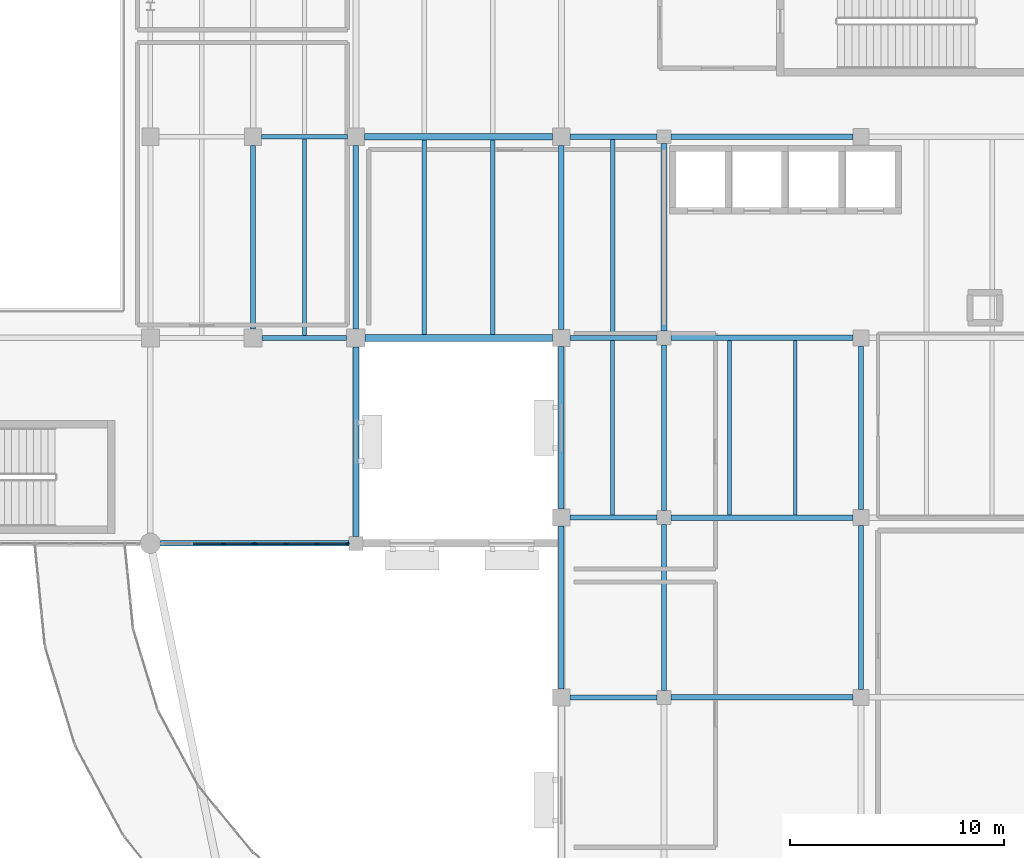
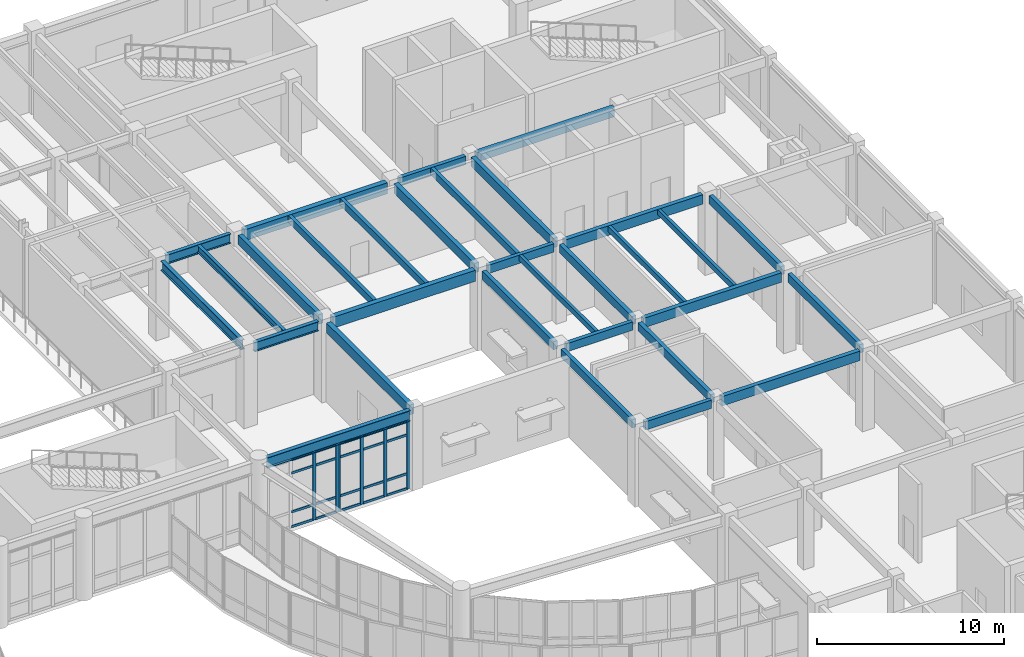
# One storey, part 34 of 72: 31 beams, 26 members, 2 elements without a shape of their own.
"""IFC4 building model written with IfcOpenShell, lengths in metres."""

from ifc_helpers import new_model, si_unit, direction, frame, origin, origin_2d, place, context, subcontext, project, spatial, rectangle, i_section, extrude, material, material_profile, profile_set, type_object, element, aggregate, save


model = new_model("IFC4")

# Units and contexts
model_context = context("Model", 3, precision=1e-05, world=origin(), true_north=direction((0.0, 1.0)))
body_context = subcontext(model_context, "Body", "Model", "MODEL_VIEW")
ifc_project = project(units=[si_unit("LENGTHUNIT", "METRE"), si_unit("AREAUNIT", "SQUARE_METRE"), si_unit("VOLUMEUNIT", "CUBIC_METRE"), si_unit("PLANEANGLEUNIT", "RADIAN"), si_unit("MASSUNIT", "GRAM", prefix="KILO")], contexts=[model_context])

# Site, building, storey
site_placement = place(None, origin())
site = spatial("IfcSite", under=ifc_project, at=site_placement, CompositionType="ELEMENT")
building_placement = place(site_placement, origin())
building = spatial("IfcBuilding", under=site, at=building_placement, Name="Veldera Park Congress Hotel", CompositionType="ELEMENT")
storey_placement = place(building_placement, frame((0.0, 0.0, 5.39990234375)))
storey = spatial("IfcBuildingStorey", under=building, at=storey_placement, Name="L01", CompositionType="ELEMENT", Elevation=5.39990234375)

# Beams
ifc_material_1 = material(Name="Glulam GL28h (NDS 24F-V4)", Category="wood")
ifc_material_profile_1 = material_profile(ifc_material_1, rectangle(XDim=0.239990234375, YDim=0.5400390625, at=origin_2d()), Name="GL28h 240x540")
ifc_profile_set_1 = profile_set([ifc_material_profile_1], Name="Glulam GL28h (NDS 24F-V4)")
beam_type_1 = type_object("IfcBeamType", Name="BM-GL540", PredefinedType="BEAM", material=ifc_profile_set_1)
for number, where, z_axis, x_axis, name in (
    (1, (61.199951171875, 10.199951171875, 4.860107421875), (1.0, 0.0, 0.0), (0.0, 1.0, 0.0), "L01 Girder BM-GL540 593"),
    (2, (61.199951171875, 18.60009765625, 4.860107421875), (1.0, 0.0, 0.0), (0.0, 1.0, 0.0), "L01 Girder BM-GL540 606"),
    (3, (61.199951171875, 27.0, 4.860107421875), (1.0, 0.0, 0.0), (0.0, 1.0, 0.0), "L01 Girder BM-GL540 624"),
    (4, (61.199951171875, 36.39990234375, 4.860107421875), (1.0, 0.0, 0.0), (0.0, 1.0, 0.0), "L01 Girder BM-GL540 634"),
):
    element("IfcBeam", number, at=place(storey_placement, frame(where, z_axis=z_axis, x_axis=x_axis)), inside=storey, type_object=beam_type_1, Name=name, PredefinedType="BEAM", context=body_context, shape_type="SweptSolid", body=[
        extrude(rectangle(XDim=0.239990234375, YDim=0.5400390625, at=origin_2d()), origin(), (0.0, 0.0, 1.0), 4.074951171875),
    ])
beam_1_placement = place(storey_placement, frame((60.800048828125, 10.60009765625, 4.860107421875), z_axis=(0.0, 1.0, 0.0), x_axis=(-1.0, 0.0, 0.0)))
element("IfcBeam", 5, at=beam_1_placement, inside=storey, type_object=beam_type_1, Name="L01 Girder BM-GL540 730", PredefinedType="BEAM", context=body_context, shape_type="SweptSolid", body=[
    extrude(rectangle(XDim=0.239990234375, YDim=0.5400390625, at=origin_2d()), origin(), (0.0, 0.0, 1.0), 7.599853515625),
])
beam_2_placement = place(storey_placement, frame((60.800048828125, 19.0, 4.860107421875), z_axis=(0.0, 1.0, 0.0), x_axis=(-1.0, 0.0, 0.0)))
element("IfcBeam", 6, at=beam_2_placement, inside=storey, type_object=beam_type_1, Name="L01 Girder BM-GL540 731", PredefinedType="BEAM", context=body_context, shape_type="SweptSolid", body=[
    extrude(rectangle(XDim=0.239990234375, YDim=0.5400390625, at=origin_2d()), origin(), (0.0, 0.0, 1.0), 7.60009765625),
])
for number, where, z_axis, x_axis, name in (
    (7, (65.60009765625, 10.52490234375, 4.860107421875), (0.0, 1.0, 0.0), (-1.0, 0.0, 0.0), "L01 Girder BM-GL540 737"),
    (8, (65.60009765625, 18.925048828125, 4.860107421875), (0.0, 1.0, 0.0), (-1.0, 0.0, 0.0), "L01 Girder BM-GL540 738"),
):
    element("IfcBeam", number, at=place(storey_placement, frame(where, z_axis=z_axis, x_axis=x_axis)), inside=storey, type_object=beam_type_1, Name=name, PredefinedType="BEAM", context=body_context, shape_type="SweptSolid", body=[
        extrude(rectangle(XDim=0.239990234375, YDim=0.5400390625, at=origin_2d()), origin(), (0.0, 0.0, 1.0), 7.75),
    ])
beam_3_placement = place(storey_placement, frame((74.800048828125, 10.574951171875, 4.860107421875), z_axis=(0.0, 1.0, 0.0), x_axis=(-1.0, 0.0, 0.0)))
element("IfcBeam", 9, at=beam_3_placement, inside=storey, type_object=beam_type_1, Name="L01 Girder BM-GL540 746", PredefinedType="BEAM", context=body_context, shape_type="SweptSolid", body=[
    extrude(rectangle(XDim=0.239990234375, YDim=0.5400390625, at=origin_2d()), origin(), (0.0, 0.0, 1.0), 7.650146484375),
])
beam_4_placement = place(storey_placement, frame((74.800048828125, 18.97509765625, 4.860107421875), z_axis=(0.0, 1.0, 0.0), x_axis=(-1.0, 0.0, 0.0)))
element("IfcBeam", 10, at=beam_4_placement, inside=storey, type_object=beam_type_1, Name="L01 Girder BM-GL540 747", PredefinedType="BEAM", context=body_context, shape_type="SweptSolid", body=[
    extrude(rectangle(XDim=0.239990234375, YDim=0.5400390625, at=origin_2d()), origin(), (0.0, 0.0, 1.0), 7.64990234375),
])
ifc_material_profile_2 = material_profile(ifc_material_1, rectangle(XDim=0.264892578125, YDim=0.6201171875, at=origin_2d()), Name="GL28h 265x620")
ifc_profile_set_2 = profile_set([ifc_material_profile_2], Name="Glulam GL28h (NDS 24F-V4)")
beam_type_2 = type_object("IfcBeamType", Name="BM-GL620", PredefinedType="BEAM", material=ifc_profile_set_2)
for number, where, z_axis, x_axis, name in (
    (11, (65.925048828125, 10.199951171875, 4.820068359375), (1.0, 0.0, 0.0), (0.0, 1.0, 0.0), "L01 Girder BM-GL620 594"),
    (12, (65.925048828125, 18.60009765625, 4.820068359375), (1.0, 0.0, 0.0), (0.0, 1.0, 0.0), "L01 Girder BM-GL620 607"),
    (13, (65.925048828125, 27.0, 4.820068359375), (1.0, 0.0, 0.0), (0.0, 1.0, 0.0), "L01 Girder BM-GL620 625"),
    (14, (65.925048828125, 36.39990234375, 4.820068359375), (1.0, 0.0, 0.0), (0.0, 1.0, 0.0), "L01 Girder BM-GL620 635"),
):
    element("IfcBeam", number, at=place(storey_placement, frame(where, z_axis=z_axis, x_axis=x_axis)), inside=storey, type_object=beam_type_2, Name=name, PredefinedType="BEAM", context=body_context, shape_type="SweptSolid", body=[
        extrude(rectangle(XDim=0.264892578125, YDim=0.6201171875, at=origin_2d()), origin(), (0.0, 0.0, 1.0), 8.5),
    ])
beam_5_placement = place(storey_placement, frame((51.199951171875, 27.425048828125, 4.820068359375), z_axis=(0.0, 1.0, 0.0), x_axis=(-1.0, 0.0, 0.0)))
element("IfcBeam", 15, at=beam_5_placement, inside=storey, type_object=beam_type_2, Name="L01 Girder BM-GL620 719", PredefinedType="BEAM", context=body_context, shape_type="SweptSolid", body=[
    extrude(rectangle(XDim=0.264892578125, YDim=0.6201171875, at=origin_2d()), origin(), (0.0, 0.0, 1.0), 8.574951171875),
])
beam_6_placement = place(storey_placement, frame((60.800048828125, 27.39990234375, 4.820068359375), z_axis=(0.0, 1.0, 0.0), x_axis=(-1.0, 0.0, 0.0)))
element("IfcBeam", 16, at=beam_6_placement, inside=storey, type_object=beam_type_2, Name="L01 Girder BM-GL620 732", PredefinedType="BEAM", context=body_context, shape_type="SweptSolid", body=[
    extrude(rectangle(XDim=0.264892578125, YDim=0.6201171875, at=origin_2d()), origin(), (0.0, 0.0, 1.0), 8.60009765625),
])
beam_7_placement = place(storey_placement, frame((65.60009765625, 27.324951171875, 4.820068359375), z_axis=(0.0, 1.0, 0.0), x_axis=(-1.0, 0.0, 0.0)))
element("IfcBeam", 17, at=beam_7_placement, inside=storey, type_object=beam_type_2, Name="L01 Girder BM-GL620 739", PredefinedType="BEAM", context=body_context, shape_type="SweptSolid", body=[
    extrude(rectangle(XDim=0.264892578125, YDim=0.6201171875, at=origin_2d()), origin(), (0.0, 0.0, 1.0), 8.75),
])
ifc_material_profile_3 = material_profile(ifc_material_1, rectangle(XDim=0.280029296875, YDim=0.639892578125, at=origin_2d()), Name="GL28h 280x640")
ifc_profile_set_3 = profile_set([ifc_material_profile_3], Name="Glulam GL28h (NDS 24F-V4)")
beam_type_3 = type_object("IfcBeamType", Name="BM-GL640", PredefinedType="BEAM", material=ifc_profile_set_3)
beam_8_placement = place(storey_placement, frame((51.199951171875, 17.72509765625, 4.81005859375), z_axis=(0.0, 1.0, 0.0), x_axis=(-1.0, 0.0, 0.0)))
element("IfcBeam", 18, at=beam_8_placement, inside=storey, type_object=beam_type_3, Name="L01 Girder BM-GL640 718", PredefinedType="BEAM", context=body_context, shape_type="SweptSolid", body=[
    extrude(rectangle(XDim=0.280029296875, YDim=0.639892578125, at=origin_2d()), origin(), (0.0, 0.0, 1.0), 8.849853515625),
])
ifc_material_profile_4 = material_profile(ifc_material_1, rectangle(XDim=0.31494140625, YDim=0.719970703125, at=origin_2d()), Name="GL28h 315x720")
ifc_profile_set_4 = profile_set([ifc_material_profile_4], Name="Glulam GL28h (NDS 24F-V4)")
beam_type_4 = type_object("IfcBeamType", Name="BM-GL720", PredefinedType="BEAM", material=ifc_profile_set_4)
beam_9_placement = place(storey_placement, frame((51.625, 27.0, 4.77001953125), z_axis=(1.0, 0.0, 0.0), x_axis=(0.0, 1.0, 0.0)))
element("IfcBeam", 19, at=beam_9_placement, inside=storey, type_object=beam_type_4, Name="L01 Girder BM-GL720 623", PredefinedType="BEAM", context=body_context, shape_type="SweptSolid", body=[
    extrude(rectangle(XDim=0.31494140625, YDim=0.719970703125, at=origin_2d()), origin(), (0.0, 0.0, 1.0), 8.77490234375),
])
beam_10_placement = place(storey_placement, frame((51.60009765625, 36.39990234375, 4.77001953125), z_axis=(1.0, 0.0, 0.0), x_axis=(0.0, 1.0, 0.0)))
element("IfcBeam", 20, at=beam_10_placement, inside=storey, type_object=beam_type_4, Name="L01 Girder BM-GL720 633", PredefinedType="BEAM", context=body_context, shape_type="SweptSolid", body=[
    extrude(rectangle(XDim=0.31494140625, YDim=0.719970703125, at=origin_2d()), origin(), (0.0, 0.0, 1.0), 8.7998046875),
])
ifc_material_2 = material(Name="Steel ASTM A992 Gr.50", Category="steel")
ifc_material_profile_5 = material_profile(ifc_material_2, i_section(OverallWidth=0.22900390625, OverallDepth=0.612060546875, WebThickness=0.011962890625, FlangeThickness=0.01953125, at=origin_2d()), Name="W24X84")
ifc_profile_set_5 = profile_set([ifc_material_profile_5], Name="Steel ASTM A992 Gr.50")
beam_type_5 = type_object("IfcBeamType", Name="BM-W24", PredefinedType="BEAM", material=ifc_profile_set_5)
beam_11_placement = place(storey_placement, frame((46.824951171875, 27.0, 4.82421875), z_axis=(1.0, 0.0, 0.0), x_axis=(0.0, 1.0, 0.0)))
element("IfcBeam", 21, at=beam_11_placement, inside=storey, type_object=beam_type_5, Name="L01 Girder BM-W24 622", PredefinedType="BEAM", context=body_context, shape_type="SweptSolid", body=[
    extrude(i_section(OverallWidth=0.22900390625, OverallDepth=0.612060546875, WebThickness=0.011962890625, FlangeThickness=0.01953125, at=origin_2d()), origin(), (0.0, 0.0, 1.0), 3.949951171875),
])
beam_12_placement = place(storey_placement, frame((46.800048828125, 36.39990234375, 4.82421875), z_axis=(1.0, 0.0, 0.0), x_axis=(0.0, 1.0, 0.0)))
element("IfcBeam", 22, at=beam_12_placement, inside=storey, type_object=beam_type_5, Name="L01 Girder BM-W24 632", PredefinedType="BEAM", context=body_context, shape_type="SweptSolid", body=[
    extrude(i_section(OverallWidth=0.22900390625, OverallDepth=0.612060546875, WebThickness=0.011962890625, FlangeThickness=0.01953125, at=origin_2d()), origin(), (0.0, 0.0, 1.0), 4.0),
])
ifc_material_profile_6 = material_profile(ifc_material_2, i_section(OverallWidth=0.22998046875, OverallDepth=0.616943359375, WebThickness=0.01318359375, FlangeThickness=0.022216796875, at=origin_2d()), Name="W24X94")
ifc_profile_set_6 = profile_set([ifc_material_profile_6], Name="Steel ASTM A992 Gr.50")
beam_type_6 = type_object("IfcBeamType", Name="BM-W24B", PredefinedType="BEAM", material=ifc_profile_set_6)
beam_13_placement = place(storey_placement, frame((46.39990234375, 27.425048828125, 4.821533203125), z_axis=(0.0, 1.0, 0.0), x_axis=(-1.0, 0.0, 0.0)))
element("IfcBeam", 23, at=beam_13_placement, inside=storey, type_object=beam_type_6, Name="L01 Girder BM-W24B 715", PredefinedType="BEAM", context=body_context, shape_type="SweptSolid", body=[
    extrude(i_section(OverallWidth=0.22998046875, OverallDepth=0.616943359375, WebThickness=0.01318359375, FlangeThickness=0.022216796875, at=origin_2d()), origin(), (0.0, 0.0, 1.0), 8.574951171875),
])
ifc_material_profile_7 = material_profile(ifc_material_2, i_section(OverallWidth=0.256103515625, OverallDepth=0.693115234375, WebThickness=0.014404296875, FlangeThickness=0.023681640625, at=origin_2d()), Name="W27X114")
ifc_profile_set_7 = profile_set([ifc_material_profile_7], Name="Steel ASTM A992 Gr.50")
beam_type_7 = type_object("IfcBeamType", Name="BM-W27", PredefinedType="BEAM", material=ifc_profile_set_7)
beam_14_placement = place(storey_placement, frame((42.074951171875, 17.39990234375, 4.78369140625), z_axis=(1.0, 0.0, 0.0), x_axis=(0.0, 1.0, 0.0)))
element("IfcBeam", 24, at=beam_14_placement, inside=storey, type_object=beam_type_7, Name="L01 Girder BM-W27 605", PredefinedType="BEAM", context=body_context, shape_type="SweptSolid", body=[
    extrude(i_section(OverallWidth=0.256103515625, OverallDepth=0.693115234375, WebThickness=0.014404296875, FlangeThickness=0.023681640625, at=origin_2d()), origin(), (0.0, 0.0, 1.0), 8.800048828125),
])

# Curtain wall, members
ifc_material_3 = material(Name="Low-E Triple Insulating Glass Unit (SHGC 0.22)", Category="glass")
curtain_wall_type = type_object("IfcCurtainWallType", Name="CW-POD", PredefinedType="NOTDEFINED", material=ifc_material_3)
curtain_wall_1_placement = place(storey_placement, origin())
curtain_wall_1 = element("IfcCurtainWall", 25, at=curtain_wall_1_placement, inside=storey, type_object=curtain_wall_type, Name="L01 Curtain Wall CW3-V2S-L01-037", PredefinedType="NOTDEFINED")
ifc_material_4 = material(Name="Anodised Aluminium Alloy 6063-T6", Category="aluminium")
ifc_material_profile_8 = material_profile(ifc_material_4, rectangle(XDim=0.074951171875, YDim=0.199951171875, at=origin_2d()), Name="ALU 75x200")
ifc_profile_set_8 = profile_set([ifc_material_profile_8], Name="Anodised Aluminium Alloy 6063-T6")
member_type_1 = type_object("IfcMemberType", Name="CWM-200", PredefinedType="MULLION", material=ifc_profile_set_8)
member_1_placement = place(storey_placement, frame((45.01171875, 17.39990234375, 0.0), z_axis=(0.0, 0.0, 1.0), x_axis=(0.0, 1.0, 0.0)))
member_1 = element("IfcMember", 26, at=member_1_placement, type_object=member_type_1, Name="CW-POD mullion 3", PredefinedType="MULLION", context=body_context, shape_type="SweptSolid", body=[
    extrude(rectangle(XDim=0.074951171875, YDim=0.199951171875, at=origin_2d()), origin(), (0.0, 0.0, 1.0), 4.43212890625),
])
member_2_placement = place(storey_placement, frame((46.422607421875, 17.39990234375, 0.0), z_axis=(0.0, 0.0, 1.0), x_axis=(0.0, 1.0, 0.0)))
member_2 = element("IfcMember", 27, at=member_2_placement, type_object=member_type_1, Name="CW-POD mullion 4", PredefinedType="MULLION", context=body_context, shape_type="SweptSolid", body=[
    extrude(rectangle(XDim=0.074951171875, YDim=0.199951171875, at=origin_2d()), origin(), (0.0, 0.0, 1.0), 4.43212890625),
])

curtain_wall_2_placement = place(storey_placement, origin())
curtain_wall_2 = element("IfcCurtainWall", 28, at=curtain_wall_2_placement, inside=storey, type_object=curtain_wall_type, Name="L01 Curtain Wall CW3-V2S-L01-038", PredefinedType="NOTDEFINED")
member_3_placement = place(storey_placement, frame((46.527587890625, 17.39990234375, 0.0), z_axis=(0.0, 0.0, 1.0), x_axis=(0.0, 1.0, 0.0)))
member_3 = element("IfcMember", 29, at=member_3_placement, type_object=member_type_1, Name="CW-POD mullion 1", PredefinedType="MULLION", context=body_context, shape_type="SweptSolid", body=[
    extrude(rectangle(XDim=0.074951171875, YDim=0.199951171875, at=origin_2d()), origin(), (0.0, 0.0, 1.0), 4.43212890625),
])
member_4_placement = place(storey_placement, frame((47.938232421875, 17.39990234375, 0.0), z_axis=(0.0, 0.0, 1.0), x_axis=(0.0, 1.0, 0.0)))
member_4 = element("IfcMember", 30, at=member_4_placement, type_object=member_type_1, Name="CW-POD mullion 2", PredefinedType="MULLION", context=body_context, shape_type="SweptSolid", body=[
    extrude(rectangle(XDim=0.074951171875, YDim=0.199951171875, at=origin_2d()), origin(), (0.0, 0.0, 1.0), 4.43212890625),
])
member_5_placement = place(storey_placement, frame((49.38671875, 17.39990234375, 0.0), z_axis=(0.0, 0.0, 1.0), x_axis=(0.0, 1.0, 0.0)))
member_5 = element("IfcMember", 31, at=member_5_placement, type_object=member_type_1, Name="CW-POD mullion 3", PredefinedType="MULLION", context=body_context, shape_type="SweptSolid", body=[
    extrude(rectangle(XDim=0.074951171875, YDim=0.199951171875, at=origin_2d()), origin(), (0.0, 0.0, 1.0), 4.43212890625),
])
member_6_placement = place(storey_placement, frame((50.797607421875, 17.39990234375, 0.0), z_axis=(0.0, 0.0, 1.0), x_axis=(0.0, 1.0, 0.0)))
member_6 = element("IfcMember", 32, at=member_6_placement, type_object=member_type_1, Name="CW-POD mullion 4", PredefinedType="MULLION", context=body_context, shape_type="SweptSolid", body=[
    extrude(rectangle(XDim=0.074951171875, YDim=0.199951171875, at=origin_2d()), origin(), (0.0, 0.0, 1.0), 4.43212890625),
])

# Member
ifc_material_profile_9 = material_profile(ifc_material_4, rectangle(XDim=0.074951171875, YDim=0.14990234375, at=origin_2d()), Name="ALU 75x150")
ifc_profile_set_9 = profile_set([ifc_material_profile_9], Name="Anodised Aluminium Alloy 6063-T6")
member_type_2 = type_object("IfcMemberType", Name="CWT-150", PredefinedType="USERDEFINED", material=ifc_profile_set_9)
member_7_placement = place(storey_placement, frame((43.600830078125, 17.39990234375, 0.03759765625), z_axis=(1.0, 0.0, 0.0), x_axis=(0.0, 1.0, 0.0)))
member_7 = element("IfcMember", 33, at=member_7_placement, type_object=member_type_2, Name="CW-POD transom 2.1", ObjectType="TRANSOM", PredefinedType="USERDEFINED", context=body_context, shape_type="SweptSolid", body=[
    extrude(rectangle(XDim=0.074951171875, YDim=0.14990234375, at=origin_2d()), origin(), (0.0, 0.0, 1.0), 1.373291015625),
])

member_8_placement = place(storey_placement, frame((43.600830078125, 17.39990234375, 1.0), z_axis=(1.0, 0.0, 0.0), x_axis=(0.0, 1.0, 0.0)))
member_8 = element("IfcMember", 34, at=member_8_placement, type_object=member_type_2, Name="CW-POD transom 2.2", ObjectType="TRANSOM", PredefinedType="USERDEFINED", context=body_context, shape_type="SweptSolid", body=[
    extrude(rectangle(XDim=0.074951171875, YDim=0.14990234375, at=origin_2d()), origin(), (0.0, 0.0, 1.0), 1.373291015625),
])

member_9_placement = place(storey_placement, frame((43.600830078125, 17.39990234375, 3.531982421875), z_axis=(1.0, 0.0, 0.0), x_axis=(0.0, 1.0, 0.0)))
member_9 = element("IfcMember", 35, at=member_9_placement, type_object=member_type_2, Name="CW-POD transom 2.3", ObjectType="TRANSOM", PredefinedType="USERDEFINED", context=body_context, shape_type="SweptSolid", body=[
    extrude(rectangle(XDim=0.074951171875, YDim=0.14990234375, at=origin_2d()), origin(), (0.0, 0.0, 1.0), 1.373291015625),
])

member_10_placement = place(storey_placement, frame((43.600830078125, 17.39990234375, 4.39453125), z_axis=(1.0, 0.0, 0.0), x_axis=(0.0, 1.0, 0.0)))
member_10 = element("IfcMember", 36, at=member_10_placement, type_object=member_type_2, Name="CW-POD transom 2.4", ObjectType="TRANSOM", PredefinedType="USERDEFINED", context=body_context, shape_type="SweptSolid", body=[
    extrude(rectangle(XDim=0.074951171875, YDim=0.14990234375, at=origin_2d()), origin(), (0.0, 0.0, 1.0), 1.373291015625),
])

member_11_placement = place(storey_placement, frame((45.049072265625, 17.39990234375, 0.03759765625), z_axis=(1.0, 0.0, 0.0), x_axis=(0.0, 1.0, 0.0)))
member_11 = element("IfcMember", 37, at=member_11_placement, type_object=member_type_2, Name="CW-POD transom 3.1", ObjectType="TRANSOM", PredefinedType="USERDEFINED", context=body_context, shape_type="SweptSolid", body=[
    extrude(rectangle(XDim=0.074951171875, YDim=0.14990234375, at=origin_2d()), origin(), (0.0, 0.0, 1.0), 1.3359375),
])

member_12_placement = place(storey_placement, frame((45.049072265625, 17.39990234375, 1.0), z_axis=(1.0, 0.0, 0.0), x_axis=(0.0, 1.0, 0.0)))
member_12 = element("IfcMember", 38, at=member_12_placement, type_object=member_type_2, Name="CW-POD transom 3.2", ObjectType="TRANSOM", PredefinedType="USERDEFINED", context=body_context, shape_type="SweptSolid", body=[
    extrude(rectangle(XDim=0.074951171875, YDim=0.14990234375, at=origin_2d()), origin(), (0.0, 0.0, 1.0), 1.3359375),
])

member_13_placement = place(storey_placement, frame((45.049072265625, 17.39990234375, 3.531982421875), z_axis=(1.0, 0.0, 0.0), x_axis=(0.0, 1.0, 0.0)))
member_13 = element("IfcMember", 39, at=member_13_placement, type_object=member_type_2, Name="CW-POD transom 3.3", ObjectType="TRANSOM", PredefinedType="USERDEFINED", context=body_context, shape_type="SweptSolid", body=[
    extrude(rectangle(XDim=0.074951171875, YDim=0.14990234375, at=origin_2d()), origin(), (0.0, 0.0, 1.0), 1.3359375),
])

member_14_placement = place(storey_placement, frame((45.049072265625, 17.39990234375, 4.39453125), z_axis=(1.0, 0.0, 0.0), x_axis=(0.0, 1.0, 0.0)))
member_14 = element("IfcMember", 40, at=member_14_placement, type_object=member_type_2, Name="CW-POD transom 3.4", ObjectType="TRANSOM", PredefinedType="USERDEFINED", context=body_context, shape_type="SweptSolid", body=[
    extrude(rectangle(XDim=0.074951171875, YDim=0.14990234375, at=origin_2d()), origin(), (0.0, 0.0, 1.0), 1.3359375),
])

aggregate(curtain_wall_1, [member_1, member_2, member_7, member_8, member_9, member_10, member_11, member_12, member_13, member_14])

member_15_placement = place(storey_placement, frame((46.56494140625, 17.39990234375, 0.03759765625), z_axis=(1.0, 0.0, 0.0), x_axis=(0.0, 1.0, 0.0)))
member_15 = element("IfcMember", 41, at=member_15_placement, type_object=member_type_2, Name="CW-POD transom 1.1", ObjectType="TRANSOM", PredefinedType="USERDEFINED", context=body_context, shape_type="SweptSolid", body=[
    extrude(rectangle(XDim=0.074951171875, YDim=0.14990234375, at=origin_2d()), origin(), (0.0, 0.0, 1.0), 1.3359375),
])

member_16_placement = place(storey_placement, frame((46.56494140625, 17.39990234375, 1.0), z_axis=(1.0, 0.0, 0.0), x_axis=(0.0, 1.0, 0.0)))
member_16 = element("IfcMember", 42, at=member_16_placement, type_object=member_type_2, Name="CW-POD transom 1.2", ObjectType="TRANSOM", PredefinedType="USERDEFINED", context=body_context, shape_type="SweptSolid", body=[
    extrude(rectangle(XDim=0.074951171875, YDim=0.14990234375, at=origin_2d()), origin(), (0.0, 0.0, 1.0), 1.3359375),
])

member_17_placement = place(storey_placement, frame((46.56494140625, 17.39990234375, 3.531982421875), z_axis=(1.0, 0.0, 0.0), x_axis=(0.0, 1.0, 0.0)))
member_17 = element("IfcMember", 43, at=member_17_placement, type_object=member_type_2, Name="CW-POD transom 1.3", ObjectType="TRANSOM", PredefinedType="USERDEFINED", context=body_context, shape_type="SweptSolid", body=[
    extrude(rectangle(XDim=0.074951171875, YDim=0.14990234375, at=origin_2d()), origin(), (0.0, 0.0, 1.0), 1.3359375),
])

member_18_placement = place(storey_placement, frame((46.56494140625, 17.39990234375, 4.39453125), z_axis=(1.0, 0.0, 0.0), x_axis=(0.0, 1.0, 0.0)))
member_18 = element("IfcMember", 44, at=member_18_placement, type_object=member_type_2, Name="CW-POD transom 1.4", ObjectType="TRANSOM", PredefinedType="USERDEFINED", context=body_context, shape_type="SweptSolid", body=[
    extrude(rectangle(XDim=0.074951171875, YDim=0.14990234375, at=origin_2d()), origin(), (0.0, 0.0, 1.0), 1.3359375),
])

member_19_placement = place(storey_placement, frame((47.975830078125, 17.39990234375, 0.03759765625), z_axis=(1.0, 0.0, 0.0), x_axis=(0.0, 1.0, 0.0)))
member_19 = element("IfcMember", 45, at=member_19_placement, type_object=member_type_2, Name="CW-POD transom 2.1", ObjectType="TRANSOM", PredefinedType="USERDEFINED", context=body_context, shape_type="SweptSolid", body=[
    extrude(rectangle(XDim=0.074951171875, YDim=0.14990234375, at=origin_2d()), origin(), (0.0, 0.0, 1.0), 1.373291015625),
])

member_20_placement = place(storey_placement, frame((47.975830078125, 17.39990234375, 1.0), z_axis=(1.0, 0.0, 0.0), x_axis=(0.0, 1.0, 0.0)))
member_20 = element("IfcMember", 46, at=member_20_placement, type_object=member_type_2, Name="CW-POD transom 2.2", ObjectType="TRANSOM", PredefinedType="USERDEFINED", context=body_context, shape_type="SweptSolid", body=[
    extrude(rectangle(XDim=0.074951171875, YDim=0.14990234375, at=origin_2d()), origin(), (0.0, 0.0, 1.0), 1.373291015625),
])

member_21_placement = place(storey_placement, frame((47.975830078125, 17.39990234375, 3.531982421875), z_axis=(1.0, 0.0, 0.0), x_axis=(0.0, 1.0, 0.0)))
member_21 = element("IfcMember", 47, at=member_21_placement, type_object=member_type_2, Name="CW-POD transom 2.3", ObjectType="TRANSOM", PredefinedType="USERDEFINED", context=body_context, shape_type="SweptSolid", body=[
    extrude(rectangle(XDim=0.074951171875, YDim=0.14990234375, at=origin_2d()), origin(), (0.0, 0.0, 1.0), 1.373291015625),
])

member_22_placement = place(storey_placement, frame((47.975830078125, 17.39990234375, 4.39453125), z_axis=(1.0, 0.0, 0.0), x_axis=(0.0, 1.0, 0.0)))
member_22 = element("IfcMember", 48, at=member_22_placement, type_object=member_type_2, Name="CW-POD transom 2.4", ObjectType="TRANSOM", PredefinedType="USERDEFINED", context=body_context, shape_type="SweptSolid", body=[
    extrude(rectangle(XDim=0.074951171875, YDim=0.14990234375, at=origin_2d()), origin(), (0.0, 0.0, 1.0), 1.373291015625),
])

member_23_placement = place(storey_placement, frame((49.424072265625, 17.39990234375, 0.03759765625), z_axis=(1.0, 0.0, 0.0), x_axis=(0.0, 1.0, 0.0)))
member_23 = element("IfcMember", 49, at=member_23_placement, type_object=member_type_2, Name="CW-POD transom 3.1", ObjectType="TRANSOM", PredefinedType="USERDEFINED", context=body_context, shape_type="SweptSolid", body=[
    extrude(rectangle(XDim=0.074951171875, YDim=0.14990234375, at=origin_2d()), origin(), (0.0, 0.0, 1.0), 1.3359375),
])

member_24_placement = place(storey_placement, frame((49.424072265625, 17.39990234375, 1.0), z_axis=(1.0, 0.0, 0.0), x_axis=(0.0, 1.0, 0.0)))
member_24 = element("IfcMember", 50, at=member_24_placement, type_object=member_type_2, Name="CW-POD transom 3.2", ObjectType="TRANSOM", PredefinedType="USERDEFINED", context=body_context, shape_type="SweptSolid", body=[
    extrude(rectangle(XDim=0.074951171875, YDim=0.14990234375, at=origin_2d()), origin(), (0.0, 0.0, 1.0), 1.3359375),
])

member_25_placement = place(storey_placement, frame((49.424072265625, 17.39990234375, 3.531982421875), z_axis=(1.0, 0.0, 0.0), x_axis=(0.0, 1.0, 0.0)))
member_25 = element("IfcMember", 51, at=member_25_placement, type_object=member_type_2, Name="CW-POD transom 3.3", ObjectType="TRANSOM", PredefinedType="USERDEFINED", context=body_context, shape_type="SweptSolid", body=[
    extrude(rectangle(XDim=0.074951171875, YDim=0.14990234375, at=origin_2d()), origin(), (0.0, 0.0, 1.0), 1.3359375),
])

member_26_placement = place(storey_placement, frame((49.424072265625, 17.39990234375, 4.39453125), z_axis=(1.0, 0.0, 0.0), x_axis=(0.0, 1.0, 0.0)))
member_26 = element("IfcMember", 52, at=member_26_placement, type_object=member_type_2, Name="CW-POD transom 3.4", ObjectType="TRANSOM", PredefinedType="USERDEFINED", context=body_context, shape_type="SweptSolid", body=[
    extrude(rectangle(XDim=0.074951171875, YDim=0.14990234375, at=origin_2d()), origin(), (0.0, 0.0, 1.0), 1.3359375),
])

aggregate(curtain_wall_2, [member_3, member_4, member_5, member_6, member_15, member_16, member_17, member_18, member_19, member_20, member_21, member_22, member_23, member_24, member_25, member_26])

# Beams
ifc_material_profile_10 = material_profile(ifc_material_1, rectangle(XDim=0.179931640625, YDim=0.360107421875, at=origin_2d()), Name="GL28h 180x360")
ifc_profile_set_10 = profile_set([ifc_material_profile_10], Name="Glulam GL28h (NDS 24F-V4)")
beam_type_8 = type_object("IfcBeamType", Name="JST-GL360", PredefinedType="JOIST", material=ifc_profile_set_10)
beam_15_placement = place(storey_placement, frame((63.199951171875, 18.719970703125, 4.9501953125), z_axis=(0.0, 1.0, 0.0), x_axis=(-1.0, 0.0, 0.0)))
element("IfcBeam", 53, at=beam_15_placement, inside=storey, type_object=beam_type_8, Name="L01 Floor Joist JST-GL360 776", PredefinedType="JOIST", context=body_context, shape_type="SweptSolid", body=[
    extrude(rectangle(XDim=0.179931640625, YDim=0.360107421875, at=origin_2d()), origin(), (0.0, 0.0, 1.0), 8.159912109375),
])
for number, where, z_axis, x_axis, name in (
    (54, (68.666748046875, 18.732421875, 4.9501953125), (0.0, 1.0, 0.0), (-1.0, 0.0, 0.0), "L01 Floor Joist JST-GL360 777"),
    (55, (71.7333984375, 18.732421875, 4.9501953125), (0.0, 1.0, 0.0), (-1.0, 0.0, 0.0), "L01 Floor Joist JST-GL360 778"),
):
    element("IfcBeam", number, at=place(storey_placement, frame(where, z_axis=z_axis, x_axis=x_axis)), inside=storey, type_object=beam_type_8, Name=name, PredefinedType="JOIST", context=body_context, shape_type="SweptSolid", body=[
        extrude(rectangle(XDim=0.179931640625, YDim=0.360107421875, at=origin_2d()), origin(), (0.0, 0.0, 1.0), 8.135009765625),
    ])
ifc_material_profile_11 = material_profile(ifc_material_1, rectangle(XDim=0.215087890625, YDim=0.449951171875, at=origin_2d()), Name="GL28h 215x450")
ifc_profile_set_11 = profile_set([ifc_material_profile_11], Name="Glulam GL28h (NDS 24F-V4)")
beam_type_9 = type_object("IfcBeamType", Name="JST-GL450", PredefinedType="JOIST", material=ifc_profile_set_11)
for number, where, z_axis, x_axis, name in (
    (56, (54.39990234375, 27.157470703125, 4.905029296875), (0.0, 1.0, 0.0), (-1.0, 0.0, 0.0), "L01 Floor Joist JST-GL450 791"),
    (57, (57.60009765625, 27.157470703125, 4.905029296875), (0.0, 1.0, 0.0), (-1.0, 0.0, 0.0), "L01 Floor Joist JST-GL450 792"),
):
    element("IfcBeam", number, at=place(storey_placement, frame(where, z_axis=z_axis, x_axis=x_axis)), inside=storey, type_object=beam_type_9, Name=name, PredefinedType="JOIST", context=body_context, shape_type="SweptSolid", body=[
        extrude(rectangle(XDim=0.215087890625, YDim=0.449951171875, at=origin_2d()), origin(), (0.0, 0.0, 1.0), 9.0849609375),
    ])
beam_16_placement = place(storey_placement, frame((63.199951171875, 27.1201171875, 4.905029296875), z_axis=(0.0, 1.0, 0.0), x_axis=(-1.0, 0.0, 0.0)))
element("IfcBeam", 58, at=beam_16_placement, inside=storey, type_object=beam_type_9, Name="L01 Floor Joist JST-GL450 793", PredefinedType="JOIST", context=body_context, shape_type="SweptSolid", body=[
    extrude(rectangle(XDim=0.215087890625, YDim=0.449951171875, at=origin_2d()), origin(), (0.0, 0.0, 1.0), 9.159912109375),
])
ifc_material_profile_12 = material_profile(ifc_material_2, i_section(OverallWidth=0.19189453125, OverallDepth=0.462890625, WebThickness=0.010498046875, FlangeThickness=0.017578125, at=origin_2d()), Name="W18X60")
ifc_profile_set_12 = profile_set([ifc_material_profile_12], Name="Steel ASTM A992 Gr.50")
beam_type_10 = type_object("IfcBeamType", Name="JST-W18C", PredefinedType="JOIST", material=ifc_profile_set_12)
beam_17_placement = place(storey_placement, frame((48.800048828125, 27.114501953125, 4.898681640625), z_axis=(0.0, 1.0, 0.0), x_axis=(-1.0, 0.0, 0.0)))
element("IfcBeam", 59, at=beam_17_placement, inside=storey, type_object=beam_type_10, Name="L01 Floor Joist JST-W18C 790", PredefinedType="JOIST", context=body_context, shape_type="SweptSolid", body=[
    extrude(i_section(OverallWidth=0.19189453125, OverallDepth=0.462890625, WebThickness=0.010498046875, FlangeThickness=0.017578125, at=origin_2d()), origin(), (0.0, 0.0, 1.0), 9.1708984375),
])

save(model, "model.ifc")
